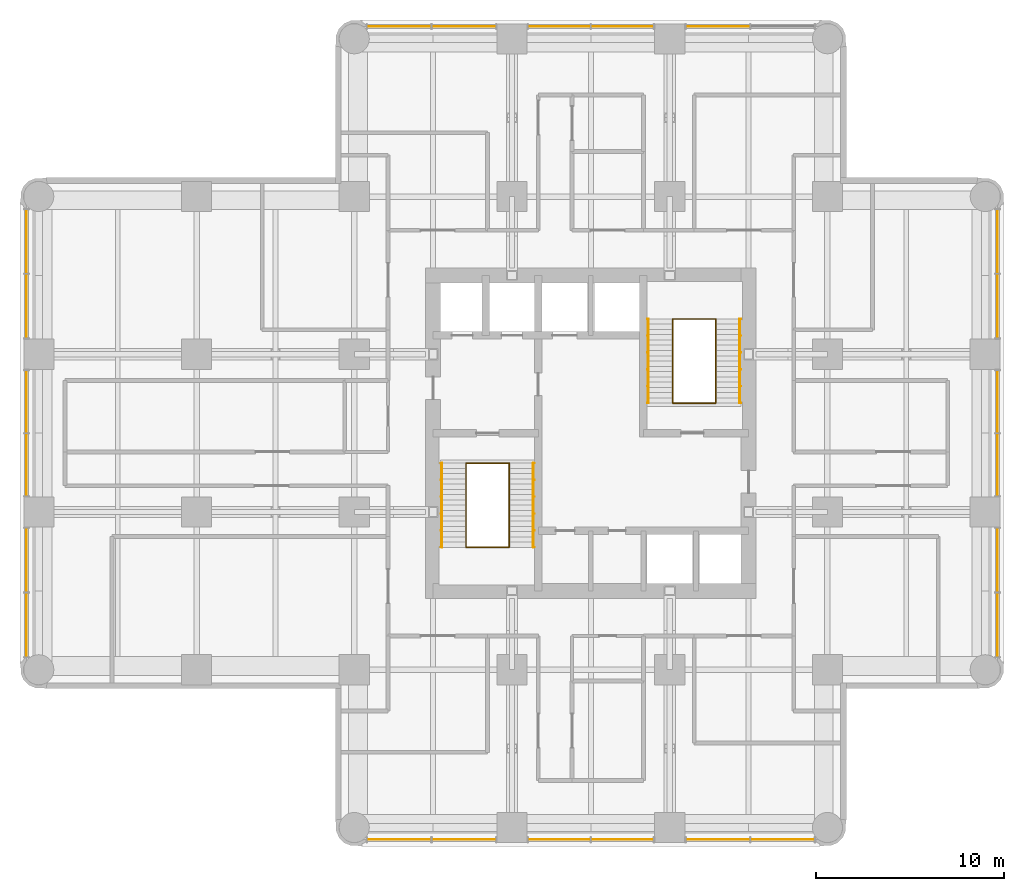
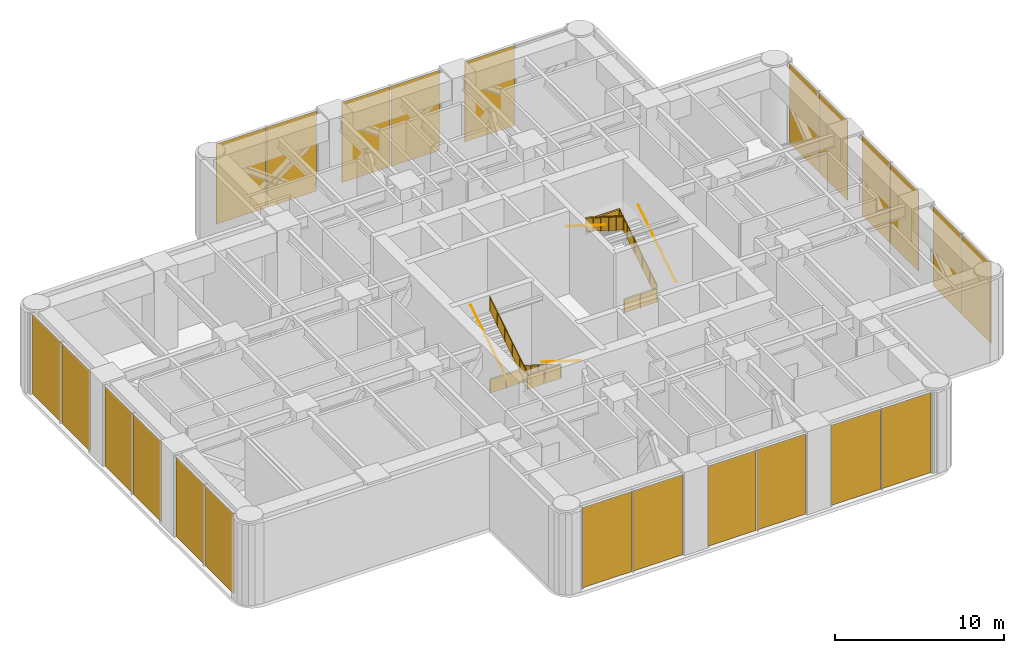
# One storey, part 11 of 12: 23 shading devices, 12 railings, 4 elements without a shape of their own.
"""IFC4 building model written with IfcOpenShell, lengths in metres."""

from ifc_helpers import new_model, si_unit, direction, frame, origin, origin_2d, place, context, subcontext, project, spatial, polyline, rectangle, circle, outline, extrude, material, layer, layer_set, type_object, element, aggregate, save


model = new_model("IFC4")

# Units and contexts
model_context = context("Model", 3, precision=1e-05, world=origin(), true_north=direction((0.0, 1.0)))
body_context = subcontext(model_context, "Body", "Model", "MODEL_VIEW")
ifc_project = project(units=[si_unit("LENGTHUNIT", "METRE"), si_unit("AREAUNIT", "SQUARE_METRE"), si_unit("VOLUMEUNIT", "CUBIC_METRE"), si_unit("PLANEANGLEUNIT", "RADIAN"), si_unit("MASSUNIT", "GRAM", prefix="KILO")], contexts=[model_context])

# Site, building, storey
site_placement = place(None, origin())
site = spatial("IfcSite", under=ifc_project, at=site_placement, CompositionType="ELEMENT")
building_placement = place(site_placement, origin())
building = spatial("IfcBuilding", under=site, at=building_placement, Name="Torre Alcanfor", CompositionType="ELEMENT")
storey_placement = place(building_placement, frame((0.0, 0.0, 248.10009765625)))
storey = spatial("IfcBuildingStorey", under=building, at=storey_placement, Name="L65", CompositionType="ELEMENT", Elevation=248.10009765625)

# Curtain wall, shading devices
ifc_material_1 = material(Name="Aluminium and glass", Category="aluminium")
curtain_wall_type = type_object("IfcCurtainWallType", Name="CW-D plant floor louvre screen", PredefinedType="NOTDEFINED", material=ifc_material_1)
curtain_wall_1_placement = place(storey_placement, origin())
curtain_wall_1 = element("IfcCurtainWall", 1, at=curtain_wall_1_placement, inside=storey, type_object=curtain_wall_type, Name="Curtain wall CW-D L65 2", PredefinedType="NOTDEFINED")
ifc_material_2 = material(Name="Aluminium louvre", Category="aluminium")
ifc_layer = layer(ifc_material_2, 0.028076171875)
ifc_layer_set = layer_set([ifc_layer], Name="CW-D aluminium louvre panel")
shading_device_type = type_object("IfcShadingDeviceType", Name="CW-D aluminium louvre panel", PredefinedType="SHUTTER", material=ifc_layer_set)
shading_device_1_placement = place(storey_placement, frame((-0.64990234375, 39.61181640625, 0.0), z_axis=(0.0, 0.0, 1.0), x_axis=(0.0, -1.0, 0.0)))
shading_device_1 = element("IfcShadingDevice", 2, at=shading_device_1_placement, type_object=shading_device_type, Name="CW-D panel 1.1.1", PredefinedType="SHUTTER", context=body_context, shape_type="SweptSolid", body=[
    extrude(rectangle(XDim=3.384521484375, YDim=0.028076171875, at=origin_2d()), origin(), (0.0, 0.0, 1.0), 5.784912109375),
])
shading_device_2_placement = place(storey_placement, frame((-0.64990234375, 36.162353515625, 0.0), z_axis=(0.0, 0.0, 1.0), x_axis=(0.0, -1.0, 0.0)))
shading_device_2 = element("IfcShadingDevice", 3, at=shading_device_2_placement, type_object=shading_device_type, Name="CW-D panel 1.2.1", PredefinedType="SHUTTER", context=body_context, shape_type="SweptSolid", body=[
    extrude(rectangle(XDim=3.384521484375, YDim=0.028076171875, at=origin_2d()), origin(), (0.0, 0.0, 1.0), 5.784912109375),
])
shading_device_3_placement = place(storey_placement, frame((-0.64990234375, 31.081298828125, 0.0), z_axis=(0.0, 0.0, 1.0), x_axis=(0.0, -1.0, 0.0)))
shading_device_3 = element("IfcShadingDevice", 4, at=shading_device_3_placement, type_object=shading_device_type, Name="CW-D panel 2.1.1", PredefinedType="SHUTTER", context=body_context, shape_type="SweptSolid", body=[
    extrude(rectangle(XDim=3.297607421875, YDim=0.028076171875, at=origin_2d()), origin(), (0.0, 0.0, 1.0), 5.784912109375),
])
shading_device_4_placement = place(storey_placement, frame((-0.64990234375, 27.71875, 0.0), z_axis=(0.0, 0.0, 1.0), x_axis=(0.0, -1.0, 0.0)))
shading_device_4 = element("IfcShadingDevice", 5, at=shading_device_4_placement, type_object=shading_device_type, Name="CW-D panel 2.2.1", PredefinedType="SHUTTER", context=body_context, shape_type="SweptSolid", body=[
    extrude(rectangle(XDim=3.297607421875, YDim=0.028076171875, at=origin_2d()), origin(), (0.0, 0.0, 1.0), 5.784912109375),
])
shading_device_5_placement = place(storey_placement, frame((-0.64990234375, 22.6376953125, 0.0), z_axis=(0.0, 0.0, 1.0), x_axis=(0.0, -1.0, 0.0)))
shading_device_5 = element("IfcShadingDevice", 6, at=shading_device_5_placement, type_object=shading_device_type, Name="CW-D panel 3.1.1", PredefinedType="SHUTTER", context=body_context, shape_type="SweptSolid", body=[
    extrude(rectangle(XDim=3.384521484375, YDim=0.028076171875, at=origin_2d()), origin(), (0.0, 0.0, 1.0), 5.784912109375),
])
shading_device_6_placement = place(storey_placement, frame((-0.64990234375, 19.18798828125, 0.0), z_axis=(0.0, 0.0, 1.0), x_axis=(0.0, -1.0, 0.0)))
shading_device_6 = element("IfcShadingDevice", 7, at=shading_device_6_placement, type_object=shading_device_type, Name="CW-D panel 3.2.1", PredefinedType="SHUTTER", context=body_context, shape_type="SweptSolid", body=[
    extrude(rectangle(XDim=3.384521484375, YDim=0.028076171875, at=origin_2d()), origin(), (0.0, 0.0, 1.0), 5.784912109375),
])
aggregate(curtain_wall_1, [shading_device_1, shading_device_2, shading_device_3, shading_device_4, shading_device_5, shading_device_6])

curtain_wall_2_placement = place(storey_placement, origin())
curtain_wall_2 = element("IfcCurtainWall", 8, at=curtain_wall_2_placement, inside=storey, type_object=curtain_wall_type, Name="Curtain wall CW-D L65 5", PredefinedType="NOTDEFINED")
shading_device_7_placement = place(storey_placement, frame((19.18798828125, 7.75, 0.0), z_axis=(0.0, 0.0, 1.0), x_axis=(1.0, 0.0, 0.0)))
shading_device_7 = element("IfcShadingDevice", 9, at=shading_device_7_placement, type_object=shading_device_type, Name="CW-D panel 1.1.1", PredefinedType="SHUTTER", context=body_context, shape_type="SweptSolid", body=[
    extrude(rectangle(XDim=3.384521484375, YDim=0.028076171875, at=origin_2d()), origin(), (0.0, 0.0, 1.0), 5.784912109375),
])
shading_device_8_placement = place(storey_placement, frame((22.6376953125, 7.75, 0.0), z_axis=(0.0, 0.0, 1.0), x_axis=(1.0, 0.0, 0.0)))
shading_device_8 = element("IfcShadingDevice", 10, at=shading_device_8_placement, type_object=shading_device_type, Name="CW-D panel 1.2.1", PredefinedType="SHUTTER", context=body_context, shape_type="SweptSolid", body=[
    extrude(rectangle(XDim=3.384521484375, YDim=0.028076171875, at=origin_2d()), origin(), (0.0, 0.0, 1.0), 5.784912109375),
])
shading_device_9_placement = place(storey_placement, frame((27.71875, 7.75, 0.0), z_axis=(0.0, 0.0, 1.0), x_axis=(1.0, 0.0, 0.0)))
shading_device_9 = element("IfcShadingDevice", 11, at=shading_device_9_placement, type_object=shading_device_type, Name="CW-D panel 2.1.1", PredefinedType="SHUTTER", context=body_context, shape_type="SweptSolid", body=[
    extrude(rectangle(XDim=3.297607421875, YDim=0.028076171875, at=origin_2d()), origin(), (0.0, 0.0, 1.0), 5.784912109375),
])
shading_device_10_placement = place(storey_placement, frame((31.081298828125, 7.75, 0.0), z_axis=(0.0, 0.0, 1.0), x_axis=(1.0, 0.0, 0.0)))
shading_device_10 = element("IfcShadingDevice", 12, at=shading_device_10_placement, type_object=shading_device_type, Name="CW-D panel 2.2.1", PredefinedType="SHUTTER", context=body_context, shape_type="SweptSolid", body=[
    extrude(rectangle(XDim=3.297607421875, YDim=0.028076171875, at=origin_2d()), origin(), (0.0, 0.0, 1.0), 5.784912109375),
])
shading_device_11_placement = place(storey_placement, frame((36.162353515625, 7.75, 0.0), z_axis=(0.0, 0.0, 1.0), x_axis=(1.0, 0.0, 0.0)))
shading_device_11 = element("IfcShadingDevice", 13, at=shading_device_11_placement, type_object=shading_device_type, Name="CW-D panel 3.1.1", PredefinedType="SHUTTER", context=body_context, shape_type="SweptSolid", body=[
    extrude(rectangle(XDim=3.384521484375, YDim=0.028076171875, at=origin_2d()), origin(), (0.0, 0.0, 1.0), 5.784912109375),
])
shading_device_12_placement = place(storey_placement, frame((39.61181640625, 7.75, 0.0), z_axis=(0.0, 0.0, 1.0), x_axis=(1.0, 0.0, 0.0)))
shading_device_12 = element("IfcShadingDevice", 14, at=shading_device_12_placement, type_object=shading_device_type, Name="CW-D panel 3.2.1", PredefinedType="SHUTTER", context=body_context, shape_type="SweptSolid", body=[
    extrude(rectangle(XDim=3.384521484375, YDim=0.028076171875, at=origin_2d()), origin(), (0.0, 0.0, 1.0), 5.784912109375),
])
aggregate(curtain_wall_2, [shading_device_7, shading_device_8, shading_device_9, shading_device_10, shading_device_11, shading_device_12])

curtain_wall_3_placement = place(storey_placement, origin())
curtain_wall_3 = element("IfcCurtainWall", 15, at=curtain_wall_3_placement, inside=storey, type_object=curtain_wall_type, Name="Curtain wall CW-D L65 8", PredefinedType="NOTDEFINED")
shading_device_13_placement = place(storey_placement, frame((51.050048828125, 19.18798828125, 0.0), z_axis=(0.0, 0.0, 1.0), x_axis=(0.0, 1.0, 0.0)))
shading_device_13 = element("IfcShadingDevice", 16, at=shading_device_13_placement, type_object=shading_device_type, Name="CW-D panel 1.1.1", PredefinedType="SHUTTER", context=body_context, shape_type="SweptSolid", body=[
    extrude(rectangle(XDim=3.384521484375, YDim=0.028076171875, at=origin_2d()), origin(), (0.0, 0.0, 1.0), 5.784912109375),
])
shading_device_14_placement = place(storey_placement, frame((51.050048828125, 22.6376953125, 0.0), z_axis=(0.0, 0.0, 1.0), x_axis=(0.0, 1.0, 0.0)))
shading_device_14 = element("IfcShadingDevice", 17, at=shading_device_14_placement, type_object=shading_device_type, Name="CW-D panel 1.2.1", PredefinedType="SHUTTER", context=body_context, shape_type="SweptSolid", body=[
    extrude(rectangle(XDim=3.384521484375, YDim=0.028076171875, at=origin_2d()), origin(), (0.0, 0.0, 1.0), 5.784912109375),
])
shading_device_15_placement = place(storey_placement, frame((51.050048828125, 27.71875, 0.0), z_axis=(0.0, 0.0, 1.0), x_axis=(0.0, 1.0, 0.0)))
shading_device_15 = element("IfcShadingDevice", 18, at=shading_device_15_placement, type_object=shading_device_type, Name="CW-D panel 2.1.1", PredefinedType="SHUTTER", context=body_context, shape_type="SweptSolid", body=[
    extrude(rectangle(XDim=3.297607421875, YDim=0.028076171875, at=origin_2d()), origin(), (0.0, 0.0, 1.0), 5.784912109375),
])
shading_device_16_placement = place(storey_placement, frame((51.050048828125, 31.081298828125, 0.0), z_axis=(0.0, 0.0, 1.0), x_axis=(0.0, 1.0, 0.0)))
shading_device_16 = element("IfcShadingDevice", 19, at=shading_device_16_placement, type_object=shading_device_type, Name="CW-D panel 2.2.1", PredefinedType="SHUTTER", context=body_context, shape_type="SweptSolid", body=[
    extrude(rectangle(XDim=3.297607421875, YDim=0.028076171875, at=origin_2d()), origin(), (0.0, 0.0, 1.0), 5.784912109375),
])
shading_device_17_placement = place(storey_placement, frame((51.050048828125, 36.162353515625, 0.0), z_axis=(0.0, 0.0, 1.0), x_axis=(0.0, 1.0, 0.0)))
shading_device_17 = element("IfcShadingDevice", 20, at=shading_device_17_placement, type_object=shading_device_type, Name="CW-D panel 3.1.1", PredefinedType="SHUTTER", context=body_context, shape_type="SweptSolid", body=[
    extrude(rectangle(XDim=3.384521484375, YDim=0.028076171875, at=origin_2d()), origin(), (0.0, 0.0, 1.0), 5.784912109375),
])
shading_device_18_placement = place(storey_placement, frame((51.050048828125, 39.61181640625, 0.0), z_axis=(0.0, 0.0, 1.0), x_axis=(0.0, 1.0, 0.0)))
shading_device_18 = element("IfcShadingDevice", 21, at=shading_device_18_placement, type_object=shading_device_type, Name="CW-D panel 3.2.1", PredefinedType="SHUTTER", context=body_context, shape_type="SweptSolid", body=[
    extrude(rectangle(XDim=3.384521484375, YDim=0.028076171875, at=origin_2d()), origin(), (0.0, 0.0, 1.0), 5.784912109375),
])
aggregate(curtain_wall_3, [shading_device_13, shading_device_14, shading_device_15, shading_device_16, shading_device_17, shading_device_18])

curtain_wall_4_placement = place(storey_placement, origin())
curtain_wall_4 = element("IfcCurtainWall", 22, at=curtain_wall_4_placement, inside=storey, type_object=curtain_wall_type, Name="Curtain wall CW-D L65 11", PredefinedType="NOTDEFINED")
shading_device_19_placement = place(storey_placement, frame((36.162353515625, 51.050048828125, 0.0), z_axis=(0.0, 0.0, 1.0), x_axis=(-1.0, 0.0, 0.0)))
shading_device_19 = element("IfcShadingDevice", 23, at=shading_device_19_placement, type_object=shading_device_type, Name="CW-D panel 1.2.1", PredefinedType="SHUTTER", context=body_context, shape_type="SweptSolid", body=[
    extrude(rectangle(XDim=3.384521484375, YDim=0.028076171875, at=origin_2d()), origin(), (0.0, 0.0, 1.0), 5.784912109375),
])
shading_device_20_placement = place(storey_placement, frame((31.081298828125, 51.050048828125, 0.0), z_axis=(0.0, 0.0, 1.0), x_axis=(-1.0, 0.0, 0.0)))
shading_device_20 = element("IfcShadingDevice", 24, at=shading_device_20_placement, type_object=shading_device_type, Name="CW-D panel 2.1.1", PredefinedType="SHUTTER", context=body_context, shape_type="SweptSolid", body=[
    extrude(rectangle(XDim=3.297607421875, YDim=0.028076171875, at=origin_2d()), origin(), (0.0, 0.0, 1.0), 5.784912109375),
])
shading_device_21_placement = place(storey_placement, frame((27.71875, 51.050048828125, 0.0), z_axis=(0.0, 0.0, 1.0), x_axis=(-1.0, 0.0, 0.0)))
shading_device_21 = element("IfcShadingDevice", 25, at=shading_device_21_placement, type_object=shading_device_type, Name="CW-D panel 2.2.1", PredefinedType="SHUTTER", context=body_context, shape_type="SweptSolid", body=[
    extrude(rectangle(XDim=3.297607421875, YDim=0.028076171875, at=origin_2d()), origin(), (0.0, 0.0, 1.0), 5.784912109375),
])
shading_device_22_placement = place(storey_placement, frame((22.6376953125, 51.050048828125, 0.0), z_axis=(0.0, 0.0, 1.0), x_axis=(-1.0, 0.0, 0.0)))
shading_device_22 = element("IfcShadingDevice", 26, at=shading_device_22_placement, type_object=shading_device_type, Name="CW-D panel 3.1.1", PredefinedType="SHUTTER", context=body_context, shape_type="SweptSolid", body=[
    extrude(rectangle(XDim=3.384521484375, YDim=0.028076171875, at=origin_2d()), origin(), (0.0, 0.0, 1.0), 5.784912109375),
])
shading_device_23_placement = place(storey_placement, frame((19.18798828125, 51.050048828125, 0.0), z_axis=(0.0, 0.0, 1.0), x_axis=(-1.0, 0.0, 0.0)))
shading_device_23 = element("IfcShadingDevice", 27, at=shading_device_23_placement, type_object=shading_device_type, Name="CW-D panel 3.2.1", PredefinedType="SHUTTER", context=body_context, shape_type="SweptSolid", body=[
    extrude(rectangle(XDim=3.384521484375, YDim=0.028076171875, at=origin_2d()), origin(), (0.0, 0.0, 1.0), 5.784912109375),
])
aggregate(curtain_wall_4, [shading_device_19, shading_device_20, shading_device_21, shading_device_22, shading_device_23])

# Railings
ifc_material_3 = material(Name="Steel ASTM A500 Grade C hollow sections", Category="steel")
railing_type_1 = type_object("IfcRailingType", Name="Stair guard and handrail 1100", PredefinedType="GUARDRAIL", material=ifc_material_3)
railing_1_placement = place(storey_placement, frame((25.050048828125, 27.800048828125, 0.17626953125)))
element("IfcRailing", 28, at=railing_1_placement, inside=storey, type_object=railing_type_1, Name="Stair guard S1 L65 flight 1", PredefinedType="GUARDRAIL", context=body_context, shape_type="SweptSolid", body=[
    extrude(circle(Radius=0.02392578125, at=origin_2d()), frame((0.0, 0.0, 1.076171875), z_axis=(0.0, -0.845977142166, 0.533219162196), x_axis=(1.0, 0.0, 0.0)), (0.0, 0.0, 1.0), 5.295654296875),
    extrude(circle(Radius=0.02099609375, at=origin_2d()), origin(), (0.0, 0.0, 1.0), 1.052001953125),
    extrude(circle(Radius=0.02099609375, at=origin_2d()), frame((0.0, -0.89599609375, 0.564697265625)), (0.0, 0.0, 1.0), 1.052001953125),
    extrude(circle(Radius=0.02099609375, at=origin_2d()), frame((0.0, -1.7919921875, 1.12939453125)), (0.0, 0.0, 1.0), 1.052001953125),
    extrude(circle(Radius=0.02099609375, at=origin_2d()), frame((0.0, -2.68798828125, 1.6943359375)), (0.0, 0.0, 1.0), 1.052001953125),
    extrude(circle(Radius=0.02099609375, at=origin_2d()), frame((0.0, -3.583984375, 2.259033203125)), (0.0, 0.0, 1.0), 1.052001953125),
    extrude(circle(Radius=0.02099609375, at=origin_2d()), frame((0.0, -4.47998046875, 2.82373046875)), (0.0, 0.0, 1.0), 1.052001953125),
    extrude(outline(polyline([(0.041015625, 0.075927734375), (0.85498046875, 0.5888671875), (0.85498046875, 1.541015625), (0.041015625, 1.02783203125), (0.041015625, 0.075927734375)])), frame((0.005859375, 0.0, 0.0), z_axis=(-1.0, 0.0, 0.0), x_axis=(0.0, -1.0, 0.0)), (0.0, 0.0, 1.0), 0.011962890625),
    extrude(outline(polyline([(0.93701171875, 0.640625), (1.7509765625, 1.153564453125), (1.7509765625, 2.105712890625), (0.93701171875, 1.592529296875), (0.93701171875, 0.640625)])), frame((0.005859375, 0.0, 0.0), z_axis=(-1.0, 0.0, 0.0), x_axis=(0.0, -1.0, 0.0)), (0.0, 0.0, 1.0), 0.011962890625),
    extrude(outline(polyline([(1.8330078125, 1.205322265625), (2.64697265625, 1.718505859375), (2.64697265625, 2.67041015625), (1.8330078125, 2.1572265625), (1.8330078125, 1.205322265625)])), frame((0.005859375, 0.0, 0.0), z_axis=(-1.0, 0.0, 0.0), x_axis=(0.0, -1.0, 0.0)), (0.0, 0.0, 1.0), 0.011962890625),
    extrude(outline(polyline([(2.72900390625, 1.77001953125), (3.54296875, 2.283203125), (3.54296875, 3.235107421875), (2.72900390625, 2.72216796875), (2.72900390625, 1.77001953125)])), frame((0.005859375, 0.0, 0.0), z_axis=(-1.0, 0.0, 0.0), x_axis=(0.0, -1.0, 0.0)), (0.0, 0.0, 1.0), 0.011962890625),
    extrude(outline(polyline([(3.625, 2.334716796875), (4.43896484375, 2.847900390625), (4.43896484375, 3.7998046875), (3.625, 3.286865234375), (3.625, 2.334716796875)])), frame((0.005859375, 0.0, 0.0), z_axis=(-1.0, 0.0, 0.0), x_axis=(0.0, -1.0, 0.0)), (0.0, 0.0, 1.0), 0.011962890625),
])
railing_2_placement = place(storey_placement, frame((22.75, 23.320068359375, 3.17626953125)))
element("IfcRailing", 29, at=railing_2_placement, inside=storey, type_object=railing_type_1, Name="Stair guard S1 L65 flight 2", PredefinedType="GUARDRAIL", context=body_context, shape_type="SweptSolid", body=[
    extrude(circle(Radius=0.02392578125, at=origin_2d()), frame((0.0, 0.0, 1.076171875), z_axis=(0.0, 0.845977142166, 0.533219162196), x_axis=(-1.0, 0.0, 0.0)), (0.0, 0.0, 1.0), 5.295654296875),
    extrude(circle(Radius=0.02099609375, at=origin_2d()), origin(), (0.0, 0.0, 1.0), 1.052001953125),
    extrude(circle(Radius=0.02099609375, at=origin_2d()), frame((0.0, 0.89599609375, 0.564697265625)), (0.0, 0.0, 1.0), 1.052001953125),
    extrude(circle(Radius=0.02099609375, at=origin_2d()), frame((0.0, 1.7919921875, 1.12939453125)), (0.0, 0.0, 1.0), 1.052001953125),
    extrude(circle(Radius=0.02099609375, at=origin_2d()), frame((0.0, 2.68798828125, 1.6943359375)), (0.0, 0.0, 1.0), 1.052001953125),
    extrude(circle(Radius=0.02099609375, at=origin_2d()), frame((0.0, 3.583984375, 2.259033203125)), (0.0, 0.0, 1.0), 1.052001953125),
    extrude(circle(Radius=0.02099609375, at=origin_2d()), frame((0.0, 4.47998046875, 2.82373046875)), (0.0, 0.0, 1.0), 1.052001953125),
    extrude(outline(polyline([(0.041015625, 0.075927734375), (0.85498046875, 0.5888671875), (0.85498046875, 1.541015625), (0.041015625, 1.02783203125), (0.041015625, 0.075927734375)])), frame((-0.005859375, 0.0, 0.0), z_axis=(1.0, 0.0, 0.0), x_axis=(0.0, 1.0, 0.0)), (0.0, 0.0, 1.0), 0.011962890625),
    extrude(outline(polyline([(0.93701171875, 0.640625), (1.7509765625, 1.153564453125), (1.7509765625, 2.105712890625), (0.93701171875, 1.592529296875), (0.93701171875, 0.640625)])), frame((-0.005859375, 0.0, 0.0), z_axis=(1.0, 0.0, 0.0), x_axis=(0.0, 1.0, 0.0)), (0.0, 0.0, 1.0), 0.011962890625),
    extrude(outline(polyline([(1.8330078125, 1.205322265625), (2.64697265625, 1.718505859375), (2.64697265625, 2.67041015625), (1.8330078125, 2.1572265625), (1.8330078125, 1.205322265625)])), frame((-0.005859375, 0.0, 0.0), z_axis=(1.0, 0.0, 0.0), x_axis=(0.0, 1.0, 0.0)), (0.0, 0.0, 1.0), 0.011962890625),
    extrude(outline(polyline([(2.72900390625, 1.77001953125), (3.54296875, 2.283203125), (3.54296875, 3.235107421875), (2.72900390625, 2.72216796875), (2.72900390625, 1.77001953125)])), frame((-0.005859375, 0.0, 0.0), z_axis=(1.0, 0.0, 0.0), x_axis=(0.0, 1.0, 0.0)), (0.0, 0.0, 1.0), 0.011962890625),
    extrude(outline(polyline([(3.625, 2.334716796875), (4.43896484375, 2.847900390625), (4.43896484375, 3.7998046875), (3.625, 3.286865234375), (3.625, 2.334716796875)])), frame((-0.005859375, 0.0, 0.0), z_axis=(1.0, 0.0, 0.0), x_axis=(0.0, 1.0, 0.0)), (0.0, 0.0, 1.0), 0.011962890625),
])
for number, where, name in (
    (30, (22.75, 27.800048828125, 0.0), "Stair well guard S1 L65 floor landing"),
    (31, (22.75, 23.320068359375, 3.0), "Stair well guard S1 L65 half landing"),
):
    element("IfcRailing", number, at=place(storey_placement, frame(where)), inside=storey, type_object=railing_type_1, Name=name, PredefinedType="GUARDRAIL", context=body_context, shape_type="SweptSolid", body=[
        extrude(circle(Radius=0.02392578125, at=origin_2d()), frame((0.0, 0.0, 1.076171875), z_axis=(1.0, 0.0, 0.0), x_axis=(0.0, 1.0, 0.0)), (0.0, 0.0, 1.0), 2.300048828125),
        extrude(circle(Radius=0.02099609375, at=origin_2d()), origin(), (0.0, 0.0, 1.0), 1.052001953125),
        extrude(circle(Radius=0.02099609375, at=origin_2d()), frame((1.14990234375, 0.0, 0.0)), (0.0, 0.0, 1.0), 1.052001953125),
        extrude(circle(Radius=0.02099609375, at=origin_2d()), frame((2.300048828125, 0.0, 0.0)), (0.0, 0.0, 1.0), 1.052001953125),
        extrude(outline(polyline([(0.041015625, 0.050048828125), (1.109130859375, 0.050048828125), (1.109130859375, 1.001953125), (0.041015625, 1.001953125), (0.041015625, 0.050048828125)])), frame((0.0, 0.005859375, 0.0), z_axis=(0.0, -1.0, 0.0), x_axis=(1.0, 0.0, 0.0)), (0.0, 0.0, 1.0), 0.011962890625),
        extrude(outline(polyline([(1.19091796875, 0.050048828125), (2.259033203125, 0.050048828125), (2.259033203125, 1.001953125), (1.19091796875, 1.001953125), (1.19091796875, 0.050048828125)])), frame((0.0, 0.005859375, 0.0), z_axis=(0.0, -1.0, 0.0), x_axis=(1.0, 0.0, 0.0)), (0.0, 0.0, 1.0), 0.011962890625),
    ])
railing_3_placement = place(storey_placement, frame((36.050048828125, 31.0, 0.17626953125)))
element("IfcRailing", 32, at=railing_3_placement, inside=storey, type_object=railing_type_1, Name="Stair guard S2 L65 flight 1", PredefinedType="GUARDRAIL", context=body_context, shape_type="SweptSolid", body=[
    extrude(circle(Radius=0.02392578125, at=origin_2d()), frame((0.0, 0.0, 1.076171875), z_axis=(0.0, 0.845977142166, 0.533219162196), x_axis=(-1.0, 0.0, 0.0)), (0.0, 0.0, 1.0), 5.295654296875),
    extrude(circle(Radius=0.02099609375, at=origin_2d()), origin(), (0.0, 0.0, 1.0), 1.052001953125),
    extrude(circle(Radius=0.02099609375, at=origin_2d()), frame((0.0, 0.89599609375, 0.564697265625)), (0.0, 0.0, 1.0), 1.052001953125),
    extrude(circle(Radius=0.02099609375, at=origin_2d()), frame((0.0, 1.7919921875, 1.12939453125)), (0.0, 0.0, 1.0), 1.052001953125),
    extrude(circle(Radius=0.02099609375, at=origin_2d()), frame((0.0, 2.68798828125, 1.6943359375)), (0.0, 0.0, 1.0), 1.052001953125),
    extrude(circle(Radius=0.02099609375, at=origin_2d()), frame((0.0, 3.583984375, 2.259033203125)), (0.0, 0.0, 1.0), 1.052001953125),
    extrude(circle(Radius=0.02099609375, at=origin_2d()), frame((0.0, 4.47998046875, 2.82373046875)), (0.0, 0.0, 1.0), 1.052001953125),
    extrude(outline(polyline([(0.041015625, 0.075927734375), (0.85498046875, 0.5888671875), (0.85498046875, 1.541015625), (0.041015625, 1.02783203125), (0.041015625, 0.075927734375)])), frame((-0.005859375, 0.0, 0.0), z_axis=(1.0, 0.0, 0.0), x_axis=(0.0, 1.0, 0.0)), (0.0, 0.0, 1.0), 0.011962890625),
    extrude(outline(polyline([(0.93701171875, 0.640625), (1.7509765625, 1.153564453125), (1.7509765625, 2.105712890625), (0.93701171875, 1.592529296875), (0.93701171875, 0.640625)])), frame((-0.005859375, 0.0, 0.0), z_axis=(1.0, 0.0, 0.0), x_axis=(0.0, 1.0, 0.0)), (0.0, 0.0, 1.0), 0.011962890625),
    extrude(outline(polyline([(1.8330078125, 1.205322265625), (2.64697265625, 1.718505859375), (2.64697265625, 2.67041015625), (1.8330078125, 2.1572265625), (1.8330078125, 1.205322265625)])), frame((-0.005859375, 0.0, 0.0), z_axis=(1.0, 0.0, 0.0), x_axis=(0.0, 1.0, 0.0)), (0.0, 0.0, 1.0), 0.011962890625),
    extrude(outline(polyline([(2.72900390625, 1.77001953125), (3.54296875, 2.283203125), (3.54296875, 3.235107421875), (2.72900390625, 2.72216796875), (2.72900390625, 1.77001953125)])), frame((-0.005859375, 0.0, 0.0), z_axis=(1.0, 0.0, 0.0), x_axis=(0.0, 1.0, 0.0)), (0.0, 0.0, 1.0), 0.011962890625),
    extrude(outline(polyline([(3.625, 2.334716796875), (4.43896484375, 2.847900390625), (4.43896484375, 3.7998046875), (3.625, 3.286865234375), (3.625, 2.334716796875)])), frame((-0.005859375, 0.0, 0.0), z_axis=(1.0, 0.0, 0.0), x_axis=(0.0, 1.0, 0.0)), (0.0, 0.0, 1.0), 0.011962890625),
])
railing_4_placement = place(storey_placement, frame((33.75, 35.47998046875, 3.17626953125)))
element("IfcRailing", 33, at=railing_4_placement, inside=storey, type_object=railing_type_1, Name="Stair guard S2 L65 flight 2", PredefinedType="GUARDRAIL", context=body_context, shape_type="SweptSolid", body=[
    extrude(circle(Radius=0.02392578125, at=origin_2d()), frame((0.0, 0.0, 1.076171875), z_axis=(0.0, -0.845977142166, 0.533219162196), x_axis=(1.0, 0.0, 0.0)), (0.0, 0.0, 1.0), 5.295654296875),
    extrude(circle(Radius=0.02099609375, at=origin_2d()), origin(), (0.0, 0.0, 1.0), 1.052001953125),
    extrude(circle(Radius=0.02099609375, at=origin_2d()), frame((0.0, -0.89599609375, 0.564697265625)), (0.0, 0.0, 1.0), 1.052001953125),
    extrude(circle(Radius=0.02099609375, at=origin_2d()), frame((0.0, -1.7919921875, 1.12939453125)), (0.0, 0.0, 1.0), 1.052001953125),
    extrude(circle(Radius=0.02099609375, at=origin_2d()), frame((0.0, -2.68798828125, 1.6943359375)), (0.0, 0.0, 1.0), 1.052001953125),
    extrude(circle(Radius=0.02099609375, at=origin_2d()), frame((0.0, -3.583984375, 2.259033203125)), (0.0, 0.0, 1.0), 1.052001953125),
    extrude(circle(Radius=0.02099609375, at=origin_2d()), frame((0.0, -4.47998046875, 2.82373046875)), (0.0, 0.0, 1.0), 1.052001953125),
    extrude(outline(polyline([(0.041015625, 0.075927734375), (0.85498046875, 0.5888671875), (0.85498046875, 1.541015625), (0.041015625, 1.02783203125), (0.041015625, 0.075927734375)])), frame((0.005859375, 0.0, 0.0), z_axis=(-1.0, 0.0, 0.0), x_axis=(0.0, -1.0, 0.0)), (0.0, 0.0, 1.0), 0.011962890625),
    extrude(outline(polyline([(0.93701171875, 0.640625), (1.7509765625, 1.153564453125), (1.7509765625, 2.105712890625), (0.93701171875, 1.592529296875), (0.93701171875, 0.640625)])), frame((0.005859375, 0.0, 0.0), z_axis=(-1.0, 0.0, 0.0), x_axis=(0.0, -1.0, 0.0)), (0.0, 0.0, 1.0), 0.011962890625),
    extrude(outline(polyline([(1.8330078125, 1.205322265625), (2.64697265625, 1.718505859375), (2.64697265625, 2.67041015625), (1.8330078125, 2.1572265625), (1.8330078125, 1.205322265625)])), frame((0.005859375, 0.0, 0.0), z_axis=(-1.0, 0.0, 0.0), x_axis=(0.0, -1.0, 0.0)), (0.0, 0.0, 1.0), 0.011962890625),
    extrude(outline(polyline([(2.72900390625, 1.77001953125), (3.54296875, 2.283203125), (3.54296875, 3.235107421875), (2.72900390625, 2.72216796875), (2.72900390625, 1.77001953125)])), frame((0.005859375, 0.0, 0.0), z_axis=(-1.0, 0.0, 0.0), x_axis=(0.0, -1.0, 0.0)), (0.0, 0.0, 1.0), 0.011962890625),
    extrude(outline(polyline([(3.625, 2.334716796875), (4.43896484375, 2.847900390625), (4.43896484375, 3.7998046875), (3.625, 3.286865234375), (3.625, 2.334716796875)])), frame((0.005859375, 0.0, 0.0), z_axis=(-1.0, 0.0, 0.0), x_axis=(0.0, -1.0, 0.0)), (0.0, 0.0, 1.0), 0.011962890625),
])
for number, where, name in (
    (34, (33.75, 31.0, 0.0), "Stair well guard S2 L65 floor landing"),
    (35, (33.75, 35.47998046875, 3.0), "Stair well guard S2 L65 half landing"),
):
    element("IfcRailing", number, at=place(storey_placement, frame(where)), inside=storey, type_object=railing_type_1, Name=name, PredefinedType="GUARDRAIL", context=body_context, shape_type="SweptSolid", body=[
        extrude(circle(Radius=0.02392578125, at=origin_2d()), frame((0.0, 0.0, 1.076171875), z_axis=(1.0, 0.0, 0.0), x_axis=(0.0, 1.0, 0.0)), (0.0, 0.0, 1.0), 2.300048828125),
        extrude(circle(Radius=0.02099609375, at=origin_2d()), origin(), (0.0, 0.0, 1.0), 1.052001953125),
        extrude(circle(Radius=0.02099609375, at=origin_2d()), frame((1.14990234375, 0.0, 0.0)), (0.0, 0.0, 1.0), 1.052001953125),
        extrude(circle(Radius=0.02099609375, at=origin_2d()), frame((2.300048828125, 0.0, 0.0)), (0.0, 0.0, 1.0), 1.052001953125),
        extrude(outline(polyline([(0.041015625, 0.050048828125), (1.109130859375, 0.050048828125), (1.109130859375, 1.001953125), (0.041015625, 1.001953125), (0.041015625, 0.050048828125)])), frame((0.0, 0.005859375, 0.0), z_axis=(0.0, -1.0, 0.0), x_axis=(1.0, 0.0, 0.0)), (0.0, 0.0, 1.0), 0.011962890625),
        extrude(outline(polyline([(1.19091796875, 0.050048828125), (2.259033203125, 0.050048828125), (2.259033203125, 1.001953125), (1.19091796875, 1.001953125), (1.19091796875, 0.050048828125)])), frame((0.0, 0.005859375, 0.0), z_axis=(0.0, -1.0, 0.0), x_axis=(1.0, 0.0, 0.0)), (0.0, 0.0, 1.0), 0.011962890625),
    ])
ifc_material_4 = material(Name="Steel ASTM A500 Grade C hollow sections", Category="steel")
railing_type_2 = type_object("IfcRailingType", Name="Stair wall handrail 900", PredefinedType="HANDRAIL", material=ifc_material_4)
railing_5_placement = place(storey_placement, frame((26.3349609375, 27.800048828125, 0.17626953125)))
element("IfcRailing", 36, at=railing_5_placement, inside=storey, type_object=railing_type_2, Name="Stair handrail S1 L65 flight 1", PredefinedType="HANDRAIL", context=body_context, shape_type="SweptSolid", body=[
    extrude(circle(Radius=0.02392578125, at=origin_2d()), frame((0.0, 0.0, 0.8759765625), z_axis=(0.0, -0.845977142166, 0.533219162196), x_axis=(1.0, 0.0, 0.0)), (0.0, 0.0, 1.0), 5.295654296875),
    extrude(circle(Radius=0.008056640625, at=origin_2d()), frame((0.0, 0.0, 0.8759765625), z_axis=(1.0, 0.0, 0.0), x_axis=(0.0, 0.0, 1.0)), (0.0, 0.0, 1.0), 0.06494140625),
    extrude(circle(Radius=0.008056640625, at=origin_2d()), frame((0.0, -0.89599609375, 1.440673828125), z_axis=(1.0, 0.0, 0.0), x_axis=(0.0, 0.0, 1.0)), (0.0, 0.0, 1.0), 0.06494140625),
    extrude(circle(Radius=0.008056640625, at=origin_2d()), frame((0.0, -1.7919921875, 2.00537109375), z_axis=(1.0, 0.0, 0.0), x_axis=(0.0, 0.0, 1.0)), (0.0, 0.0, 1.0), 0.06494140625),
    extrude(circle(Radius=0.008056640625, at=origin_2d()), frame((0.0, -2.68798828125, 2.570068359375), z_axis=(1.0, 0.0, 0.0), x_axis=(0.0, 0.0, 1.0)), (0.0, 0.0, 1.0), 0.06494140625),
    extrude(circle(Radius=0.008056640625, at=origin_2d()), frame((0.0, -3.583984375, 3.134765625), z_axis=(1.0, 0.0, 0.0), x_axis=(0.0, 0.0, 1.0)), (0.0, 0.0, 1.0), 0.06494140625),
    extrude(circle(Radius=0.008056640625, at=origin_2d()), frame((0.0, -4.47998046875, 3.69970703125), z_axis=(1.0, 0.0, 0.0), x_axis=(0.0, 0.0, 1.0)), (0.0, 0.0, 1.0), 0.06494140625),
])
railing_6_placement = place(storey_placement, frame((21.465087890625, 23.320068359375, 3.17626953125)))
element("IfcRailing", 37, at=railing_6_placement, inside=storey, type_object=railing_type_2, Name="Stair handrail S1 L65 flight 2", PredefinedType="HANDRAIL", context=body_context, shape_type="SweptSolid", body=[
    extrude(circle(Radius=0.02392578125, at=origin_2d()), frame((0.0, 0.0, 0.8759765625), z_axis=(0.0, 0.845977142166, 0.533219162196), x_axis=(-1.0, 0.0, 0.0)), (0.0, 0.0, 1.0), 5.295654296875),
    extrude(circle(Radius=0.008056640625, at=origin_2d()), frame((0.0, 0.0, 0.8759765625), z_axis=(-1.0, 0.0, 0.0), x_axis=(0.0, 0.0, 1.0)), (0.0, 0.0, 1.0), 0.06494140625),
    extrude(circle(Radius=0.008056640625, at=origin_2d()), frame((0.0, 0.89599609375, 1.440673828125), z_axis=(-1.0, 0.0, 0.0), x_axis=(0.0, 0.0, 1.0)), (0.0, 0.0, 1.0), 0.06494140625),
    extrude(circle(Radius=0.008056640625, at=origin_2d()), frame((0.0, 1.7919921875, 2.00537109375), z_axis=(-1.0, 0.0, 0.0), x_axis=(0.0, 0.0, 1.0)), (0.0, 0.0, 1.0), 0.06494140625),
    extrude(circle(Radius=0.008056640625, at=origin_2d()), frame((0.0, 2.68798828125, 2.570068359375), z_axis=(-1.0, 0.0, 0.0), x_axis=(0.0, 0.0, 1.0)), (0.0, 0.0, 1.0), 0.06494140625),
    extrude(circle(Radius=0.008056640625, at=origin_2d()), frame((0.0, 3.583984375, 3.134765625), z_axis=(-1.0, 0.0, 0.0), x_axis=(0.0, 0.0, 1.0)), (0.0, 0.0, 1.0), 0.06494140625),
    extrude(circle(Radius=0.008056640625, at=origin_2d()), frame((0.0, 4.47998046875, 3.69970703125), z_axis=(-1.0, 0.0, 0.0), x_axis=(0.0, 0.0, 1.0)), (0.0, 0.0, 1.0), 0.06494140625),
])
railing_7_placement = place(storey_placement, frame((37.3349609375, 31.0, 0.17626953125)))
element("IfcRailing", 38, at=railing_7_placement, inside=storey, type_object=railing_type_2, Name="Stair handrail S2 L65 flight 1", PredefinedType="HANDRAIL", context=body_context, shape_type="SweptSolid", body=[
    extrude(circle(Radius=0.02392578125, at=origin_2d()), frame((0.0, 0.0, 0.8759765625), z_axis=(0.0, 0.845977142166, 0.533219162196), x_axis=(-1.0, 0.0, 0.0)), (0.0, 0.0, 1.0), 5.295654296875),
    extrude(circle(Radius=0.008056640625, at=origin_2d()), frame((0.0, 0.0, 0.8759765625), z_axis=(1.0, 0.0, 0.0), x_axis=(0.0, 0.0, 1.0)), (0.0, 0.0, 1.0), 0.06494140625),
    extrude(circle(Radius=0.008056640625, at=origin_2d()), frame((0.0, 0.89599609375, 1.440673828125), z_axis=(1.0, 0.0, 0.0), x_axis=(0.0, 0.0, 1.0)), (0.0, 0.0, 1.0), 0.06494140625),
    extrude(circle(Radius=0.008056640625, at=origin_2d()), frame((0.0, 1.7919921875, 2.00537109375), z_axis=(1.0, 0.0, 0.0), x_axis=(0.0, 0.0, 1.0)), (0.0, 0.0, 1.0), 0.06494140625),
    extrude(circle(Radius=0.008056640625, at=origin_2d()), frame((0.0, 2.68798828125, 2.570068359375), z_axis=(1.0, 0.0, 0.0), x_axis=(0.0, 0.0, 1.0)), (0.0, 0.0, 1.0), 0.06494140625),
    extrude(circle(Radius=0.008056640625, at=origin_2d()), frame((0.0, 3.583984375, 3.134765625), z_axis=(1.0, 0.0, 0.0), x_axis=(0.0, 0.0, 1.0)), (0.0, 0.0, 1.0), 0.06494140625),
    extrude(circle(Radius=0.008056640625, at=origin_2d()), frame((0.0, 4.47998046875, 3.69970703125), z_axis=(1.0, 0.0, 0.0), x_axis=(0.0, 0.0, 1.0)), (0.0, 0.0, 1.0), 0.06494140625),
])
railing_8_placement = place(storey_placement, frame((32.465087890625, 35.47998046875, 3.17626953125)))
element("IfcRailing", 39, at=railing_8_placement, inside=storey, type_object=railing_type_2, Name="Stair handrail S2 L65 flight 2", PredefinedType="HANDRAIL", context=body_context, shape_type="SweptSolid", body=[
    extrude(circle(Radius=0.02392578125, at=origin_2d()), frame((0.0, 0.0, 0.8759765625), z_axis=(0.0, -0.845977142166, 0.533219162196), x_axis=(1.0, 0.0, 0.0)), (0.0, 0.0, 1.0), 5.295654296875),
    extrude(circle(Radius=0.008056640625, at=origin_2d()), frame((0.0, 0.0, 0.8759765625), z_axis=(-1.0, 0.0, 0.0), x_axis=(0.0, 0.0, 1.0)), (0.0, 0.0, 1.0), 0.06494140625),
    extrude(circle(Radius=0.008056640625, at=origin_2d()), frame((0.0, -0.89599609375, 1.440673828125), z_axis=(-1.0, 0.0, 0.0), x_axis=(0.0, 0.0, 1.0)), (0.0, 0.0, 1.0), 0.06494140625),
    extrude(circle(Radius=0.008056640625, at=origin_2d()), frame((0.0, -1.7919921875, 2.00537109375), z_axis=(-1.0, 0.0, 0.0), x_axis=(0.0, 0.0, 1.0)), (0.0, 0.0, 1.0), 0.06494140625),
    extrude(circle(Radius=0.008056640625, at=origin_2d()), frame((0.0, -2.68798828125, 2.570068359375), z_axis=(-1.0, 0.0, 0.0), x_axis=(0.0, 0.0, 1.0)), (0.0, 0.0, 1.0), 0.06494140625),
    extrude(circle(Radius=0.008056640625, at=origin_2d()), frame((0.0, -3.583984375, 3.134765625), z_axis=(-1.0, 0.0, 0.0), x_axis=(0.0, 0.0, 1.0)), (0.0, 0.0, 1.0), 0.06494140625),
    extrude(circle(Radius=0.008056640625, at=origin_2d()), frame((0.0, -4.47998046875, 3.69970703125), z_axis=(-1.0, 0.0, 0.0), x_axis=(0.0, 0.0, 1.0)), (0.0, 0.0, 1.0), 0.06494140625),
])

save(model, "model.ifc")
